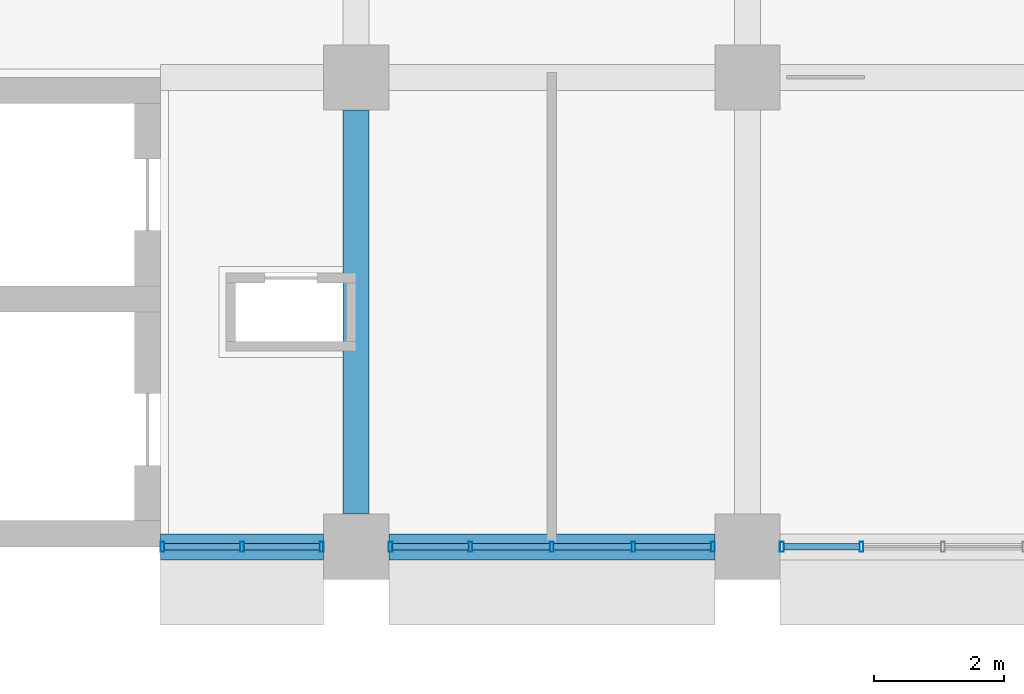
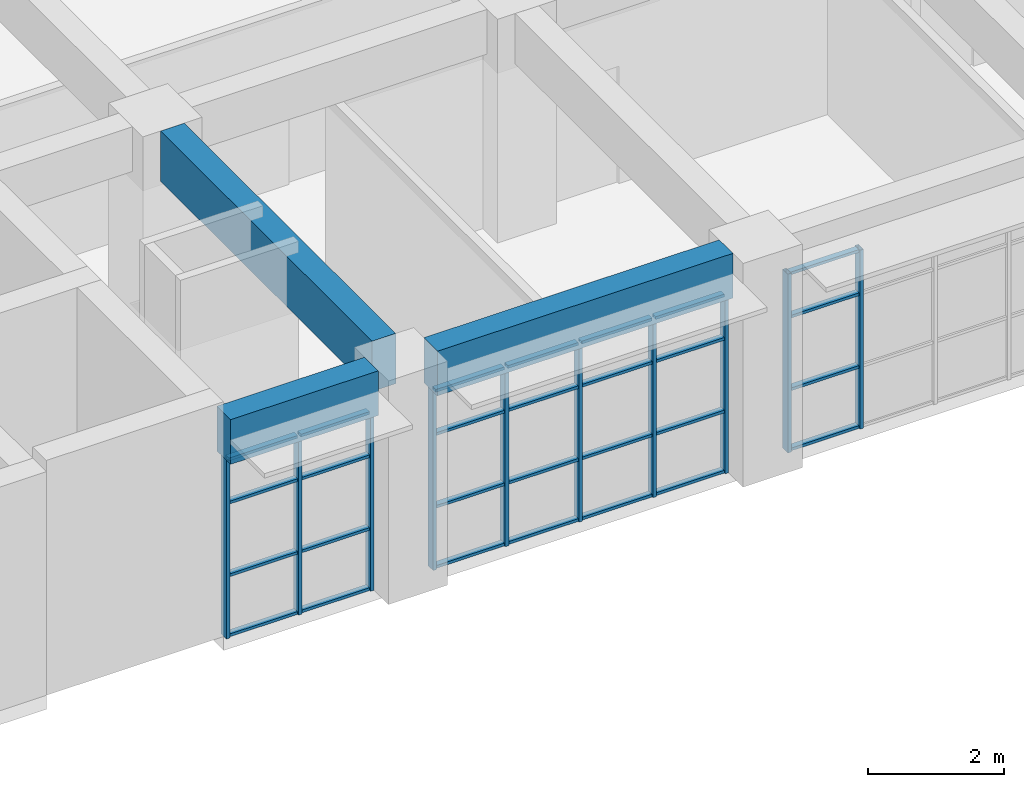
# One storey, part 39 of 101: 38 members, 3 beams, 3 elements without a shape of their own.
"""IFC4 building model written with IfcOpenShell, lengths in metres."""

from ifc_helpers import new_model, si_unit, direction, frame, origin, origin_2d, place, context, subcontext, project, spatial, rectangle, hollow_rectangle, extrude, material, material_profile, profile_set, type_object, element, aggregate, save


model = new_model("IFC4")

# Units and contexts
model_context = context("Model", 3, precision=1e-05, world=origin(), true_north=direction((0.0, 1.0)))
body_context = subcontext(model_context, "Body", "Model", "MODEL_VIEW")
ifc_project = project(units=[si_unit("LENGTHUNIT", "METRE"), si_unit("AREAUNIT", "SQUARE_METRE"), si_unit("VOLUMEUNIT", "CUBIC_METRE"), si_unit("PLANEANGLEUNIT", "RADIAN"), si_unit("MASSUNIT", "GRAM", prefix="KILO")], contexts=[model_context])

# Site, building, storey
site_placement = place(None, origin())
site = spatial("IfcSite", under=ifc_project, at=site_placement, CompositionType="ELEMENT")
building_placement = place(site_placement, origin())
building = spatial("IfcBuilding", under=site, at=building_placement, Name="Laocheng Heights Fire and Rescue Headquarters", CompositionType="ELEMENT")
storey_placement = place(building_placement, frame((0.0, 0.0, 8.39990234375)))
storey = spatial("IfcBuildingStorey", under=building, at=storey_placement, Name="L02", CompositionType="ELEMENT", Elevation=8.39990234375)

# Curtain wall, members
ifc_material_1 = material(Name="Dark anodised aluminium unitised curtain wall, low-e double glazing", Category="aluminium")
curtain_wall_type_1 = type_object("IfcCurtainWallType", Name="CW 2500 x 3200 HQ SOUTH RIBBON", PredefinedType="NOTDEFINED", material=ifc_material_1)
curtain_wall_1_placement = place(storey_placement, origin())
curtain_wall_1 = element("IfcCurtainWall", 1, at=curtain_wall_1_placement, inside=storey, type_object=curtain_wall_type_1, Name="X9-X HQ SOUTH L02", PredefinedType="NOTDEFINED")
ifc_material_2 = material(Name="Dark anodised aluminium 6063-T5 extrusion", Category="aluminium")
ifc_material_profile_1 = material_profile(ifc_material_2, hollow_rectangle(XDim=0.14990234375, YDim=0.06005859375, WallThickness=0.0029296875, at=origin_2d()), Name="AL MULLION 150x60x3 HQ SOUTH RIBBON")
ifc_profile_set_1 = profile_set([ifc_material_profile_1], Name="Dark anodised aluminium 6063-T5 extrusion")
member_type_1 = type_object("IfcMemberType", Name="AL MULLION 150x60x3 HQ SOUTH RIBBON", PredefinedType="MULLION", material=ifc_profile_set_1)
member_1_placement = place(storey_placement, frame((51.030029296875, 50.39990234375, 0.0), z_axis=(0.0, 0.0, 1.0), x_axis=(0.0, 1.0, 0.0)))
member_1 = element("IfcMember", 2, at=member_1_placement, type_object=member_type_1, Name="X9-X mullion 1", PredefinedType="MULLION", context=body_context, shape_type="SweptSolid", body=[
    extrude(hollow_rectangle(XDim=0.14990234375, YDim=0.06005859375, WallThickness=0.0029296875, at=origin_2d()), origin(), (0.0, 0.0, 1.0), 3.2001953125),
])
member_2_placement = place(storey_placement, frame((52.25, 50.39990234375, 0.0), z_axis=(0.0, 0.0, 1.0), x_axis=(0.0, 1.0, 0.0)))
member_2 = element("IfcMember", 3, at=member_2_placement, type_object=member_type_1, Name="X9-X mullion 2", PredefinedType="MULLION", context=body_context, shape_type="SweptSolid", body=[
    extrude(hollow_rectangle(XDim=0.14990234375, YDim=0.06005859375, WallThickness=0.0029296875, at=origin_2d()), origin(), (0.0, 0.0, 1.0), 3.2001953125),
])
member_3_placement = place(storey_placement, frame((53.469970703125, 50.39990234375, 0.0), z_axis=(0.0, 0.0, 1.0), x_axis=(0.0, 1.0, 0.0)))
member_3 = element("IfcMember", 4, at=member_3_placement, type_object=member_type_1, Name="X9-X mullion 3", PredefinedType="MULLION", context=body_context, shape_type="SweptSolid", body=[
    extrude(hollow_rectangle(XDim=0.14990234375, YDim=0.06005859375, WallThickness=0.0029296875, at=origin_2d()), origin(), (0.0, 0.0, 1.0), 3.2001953125),
])

ifc_material_3 = material(Name="Dark anodised aluminium unitised curtain wall, low-e double glazing", Category="aluminium")
curtain_wall_type_2 = type_object("IfcCurtainWallType", Name="CW 5000 x 3200 HQ SOUTH RIBBON", PredefinedType="NOTDEFINED", material=ifc_material_3)
curtain_wall_2_placement = place(storey_placement, origin())
curtain_wall_2 = element("IfcCurtainWall", 5, at=curtain_wall_2_placement, inside=storey, type_object=curtain_wall_type_2, Name="X10-X HQ SOUTH L02", PredefinedType="NOTDEFINED")
member_4_placement = place(storey_placement, frame((54.530029296875, 50.39990234375, 0.0), z_axis=(0.0, 0.0, 1.0), x_axis=(0.0, 1.0, 0.0)))
member_4 = element("IfcMember", 6, at=member_4_placement, type_object=member_type_1, Name="X10-X mullion 1", PredefinedType="MULLION", context=body_context, shape_type="SweptSolid", body=[
    extrude(hollow_rectangle(XDim=0.14990234375, YDim=0.06005859375, WallThickness=0.0029296875, at=origin_2d()), origin(), (0.0, 0.0, 1.0), 3.2001953125),
])
member_5_placement = place(storey_placement, frame((55.75, 50.39990234375, 0.0), z_axis=(0.0, 0.0, 1.0), x_axis=(0.0, 1.0, 0.0)))
member_5 = element("IfcMember", 7, at=member_5_placement, type_object=member_type_1, Name="X10-X mullion 2", PredefinedType="MULLION", context=body_context, shape_type="SweptSolid", body=[
    extrude(hollow_rectangle(XDim=0.14990234375, YDim=0.06005859375, WallThickness=0.0029296875, at=origin_2d()), origin(), (0.0, 0.0, 1.0), 3.2001953125),
])
member_6_placement = place(storey_placement, frame((57.0, 50.39990234375, 0.0), z_axis=(0.0, 0.0, 1.0), x_axis=(0.0, 1.0, 0.0)))
member_6 = element("IfcMember", 8, at=member_6_placement, type_object=member_type_1, Name="X10-X mullion 3", PredefinedType="MULLION", context=body_context, shape_type="SweptSolid", body=[
    extrude(hollow_rectangle(XDim=0.14990234375, YDim=0.06005859375, WallThickness=0.0029296875, at=origin_2d()), origin(), (0.0, 0.0, 1.0), 3.2001953125),
])
member_7_placement = place(storey_placement, frame((58.25, 50.39990234375, 0.0), z_axis=(0.0, 0.0, 1.0), x_axis=(0.0, 1.0, 0.0)))
member_7 = element("IfcMember", 9, at=member_7_placement, type_object=member_type_1, Name="X10-X mullion 4", PredefinedType="MULLION", context=body_context, shape_type="SweptSolid", body=[
    extrude(hollow_rectangle(XDim=0.14990234375, YDim=0.06005859375, WallThickness=0.0029296875, at=origin_2d()), origin(), (0.0, 0.0, 1.0), 3.2001953125),
])
member_8_placement = place(storey_placement, frame((59.469970703125, 50.39990234375, 0.0), z_axis=(0.0, 0.0, 1.0), x_axis=(0.0, 1.0, 0.0)))
member_8 = element("IfcMember", 10, at=member_8_placement, type_object=member_type_1, Name="X10-X mullion 5", PredefinedType="MULLION", context=body_context, shape_type="SweptSolid", body=[
    extrude(hollow_rectangle(XDim=0.14990234375, YDim=0.06005859375, WallThickness=0.0029296875, at=origin_2d()), origin(), (0.0, 0.0, 1.0), 3.2001953125),
])

curtain_wall_3_placement = place(storey_placement, origin())
curtain_wall_3 = element("IfcCurtainWall", 11, at=curtain_wall_3_placement, inside=storey, type_object=curtain_wall_type_2, Name="X10-X HQ SOUTH L02", PredefinedType="NOTDEFINED")
member_9_placement = place(storey_placement, frame((60.530029296875, 50.39990234375, 0.0), z_axis=(0.0, 0.0, 1.0), x_axis=(0.0, 1.0, 0.0)))
member_9 = element("IfcMember", 12, at=member_9_placement, type_object=member_type_1, Name="X10-X mullion 1", PredefinedType="MULLION", context=body_context, shape_type="SweptSolid", body=[
    extrude(hollow_rectangle(XDim=0.14990234375, YDim=0.06005859375, WallThickness=0.0029296875, at=origin_2d()), origin(), (0.0, 0.0, 1.0), 3.2001953125),
])
member_10_placement = place(storey_placement, frame((61.75, 50.39990234375, 0.0), z_axis=(0.0, 0.0, 1.0), x_axis=(0.0, 1.0, 0.0)))
member_10 = element("IfcMember", 13, at=member_10_placement, type_object=member_type_1, Name="X10-X mullion 2", PredefinedType="MULLION", context=body_context, shape_type="SweptSolid", body=[
    extrude(hollow_rectangle(XDim=0.14990234375, YDim=0.06005859375, WallThickness=0.0029296875, at=origin_2d()), origin(), (0.0, 0.0, 1.0), 3.2001953125),
])

# Member
ifc_material_4 = material(Name="Dark anodised aluminium 6063-T5 extrusion", Category="aluminium")
ifc_material_profile_2 = material_profile(ifc_material_4, hollow_rectangle(XDim=0.10009765625, YDim=0.050048828125, WallThickness=0.0029296875, at=origin_2d()), Name="AL TRANSOM 100x50x3 HQ SOUTH RIBBON")
ifc_profile_set_2 = profile_set([ifc_material_profile_2], Name="Dark anodised aluminium 6063-T5 extrusion")
member_type_2 = type_object("IfcMemberType", Name="AL TRANSOM 100x50x3 HQ SOUTH RIBBON", PredefinedType="USERDEFINED", material=ifc_profile_set_2)
member_11_placement = place(storey_placement, frame((51.06005859375, 50.39990234375, 0.025146484375), z_axis=(1.0, 0.0, 0.0), x_axis=(0.0, 1.0, 0.0)))
member_11 = element("IfcMember", 14, at=member_11_placement, type_object=member_type_2, Name="X9-X transom 1.1", ObjectType="TRANSOM", PredefinedType="USERDEFINED", context=body_context, shape_type="SweptSolid", body=[
    extrude(hollow_rectangle(XDim=0.10009765625, YDim=0.050048828125, WallThickness=0.0029296875, at=origin_2d()), origin(), (0.0, 0.0, 1.0), 1.159912109375),
])

member_12_placement = place(storey_placement, frame((51.06005859375, 50.39990234375, 1.10009765625), z_axis=(1.0, 0.0, 0.0), x_axis=(0.0, 1.0, 0.0)))
member_12 = element("IfcMember", 15, at=member_12_placement, type_object=member_type_2, Name="X9-X transom 1.2", ObjectType="TRANSOM", PredefinedType="USERDEFINED", context=body_context, shape_type="SweptSolid", body=[
    extrude(hollow_rectangle(XDim=0.10009765625, YDim=0.050048828125, WallThickness=0.0029296875, at=origin_2d()), origin(), (0.0, 0.0, 1.0), 1.159912109375),
])

member_13_placement = place(storey_placement, frame((51.06005859375, 50.39990234375, 2.400146484375), z_axis=(1.0, 0.0, 0.0), x_axis=(0.0, 1.0, 0.0)))
member_13 = element("IfcMember", 16, at=member_13_placement, type_object=member_type_2, Name="X9-X transom 1.3", ObjectType="TRANSOM", PredefinedType="USERDEFINED", context=body_context, shape_type="SweptSolid", body=[
    extrude(hollow_rectangle(XDim=0.10009765625, YDim=0.050048828125, WallThickness=0.0029296875, at=origin_2d()), origin(), (0.0, 0.0, 1.0), 1.159912109375),
])

member_14_placement = place(storey_placement, frame((51.06005859375, 50.39990234375, 3.175048828125), z_axis=(1.0, 0.0, 0.0), x_axis=(0.0, 1.0, 0.0)))
member_14 = element("IfcMember", 17, at=member_14_placement, type_object=member_type_2, Name="X9-X transom 1.4", ObjectType="TRANSOM", PredefinedType="USERDEFINED", context=body_context, shape_type="SweptSolid", body=[
    extrude(hollow_rectangle(XDim=0.10009765625, YDim=0.050048828125, WallThickness=0.0029296875, at=origin_2d()), origin(), (0.0, 0.0, 1.0), 1.159912109375),
])

member_15_placement = place(storey_placement, frame((52.280029296875, 50.39990234375, 0.025146484375), z_axis=(1.0, 0.0, 0.0), x_axis=(0.0, 1.0, 0.0)))
member_15 = element("IfcMember", 18, at=member_15_placement, type_object=member_type_2, Name="X9-X transom 2.1", ObjectType="TRANSOM", PredefinedType="USERDEFINED", context=body_context, shape_type="SweptSolid", body=[
    extrude(hollow_rectangle(XDim=0.10009765625, YDim=0.050048828125, WallThickness=0.0029296875, at=origin_2d()), origin(), (0.0, 0.0, 1.0), 1.159912109375),
])

member_16_placement = place(storey_placement, frame((52.280029296875, 50.39990234375, 1.10009765625), z_axis=(1.0, 0.0, 0.0), x_axis=(0.0, 1.0, 0.0)))
member_16 = element("IfcMember", 19, at=member_16_placement, type_object=member_type_2, Name="X9-X transom 2.2", ObjectType="TRANSOM", PredefinedType="USERDEFINED", context=body_context, shape_type="SweptSolid", body=[
    extrude(hollow_rectangle(XDim=0.10009765625, YDim=0.050048828125, WallThickness=0.0029296875, at=origin_2d()), origin(), (0.0, 0.0, 1.0), 1.159912109375),
])

member_17_placement = place(storey_placement, frame((52.280029296875, 50.39990234375, 2.400146484375), z_axis=(1.0, 0.0, 0.0), x_axis=(0.0, 1.0, 0.0)))
member_17 = element("IfcMember", 20, at=member_17_placement, type_object=member_type_2, Name="X9-X transom 2.3", ObjectType="TRANSOM", PredefinedType="USERDEFINED", context=body_context, shape_type="SweptSolid", body=[
    extrude(hollow_rectangle(XDim=0.10009765625, YDim=0.050048828125, WallThickness=0.0029296875, at=origin_2d()), origin(), (0.0, 0.0, 1.0), 1.159912109375),
])

member_18_placement = place(storey_placement, frame((52.280029296875, 50.39990234375, 3.175048828125), z_axis=(1.0, 0.0, 0.0), x_axis=(0.0, 1.0, 0.0)))
member_18 = element("IfcMember", 21, at=member_18_placement, type_object=member_type_2, Name="X9-X transom 2.4", ObjectType="TRANSOM", PredefinedType="USERDEFINED", context=body_context, shape_type="SweptSolid", body=[
    extrude(hollow_rectangle(XDim=0.10009765625, YDim=0.050048828125, WallThickness=0.0029296875, at=origin_2d()), origin(), (0.0, 0.0, 1.0), 1.159912109375),
])

aggregate(curtain_wall_1, [member_1, member_2, member_3, member_11, member_12, member_13, member_14, member_15, member_16, member_17, member_18])

member_19_placement = place(storey_placement, frame((54.56005859375, 50.39990234375, 0.025146484375), z_axis=(1.0, 0.0, 0.0), x_axis=(0.0, 1.0, 0.0)))
member_19 = element("IfcMember", 22, at=member_19_placement, type_object=member_type_2, Name="X10-X transom 1.1", ObjectType="TRANSOM", PredefinedType="USERDEFINED", context=body_context, shape_type="SweptSolid", body=[
    extrude(hollow_rectangle(XDim=0.10009765625, YDim=0.050048828125, WallThickness=0.0029296875, at=origin_2d()), origin(), (0.0, 0.0, 1.0), 1.159912109375),
])

member_20_placement = place(storey_placement, frame((54.56005859375, 50.39990234375, 1.10009765625), z_axis=(1.0, 0.0, 0.0), x_axis=(0.0, 1.0, 0.0)))
member_20 = element("IfcMember", 23, at=member_20_placement, type_object=member_type_2, Name="X10-X transom 1.2", ObjectType="TRANSOM", PredefinedType="USERDEFINED", context=body_context, shape_type="SweptSolid", body=[
    extrude(hollow_rectangle(XDim=0.10009765625, YDim=0.050048828125, WallThickness=0.0029296875, at=origin_2d()), origin(), (0.0, 0.0, 1.0), 1.159912109375),
])

member_21_placement = place(storey_placement, frame((54.56005859375, 50.39990234375, 2.400146484375), z_axis=(1.0, 0.0, 0.0), x_axis=(0.0, 1.0, 0.0)))
member_21 = element("IfcMember", 24, at=member_21_placement, type_object=member_type_2, Name="X10-X transom 1.3", ObjectType="TRANSOM", PredefinedType="USERDEFINED", context=body_context, shape_type="SweptSolid", body=[
    extrude(hollow_rectangle(XDim=0.10009765625, YDim=0.050048828125, WallThickness=0.0029296875, at=origin_2d()), origin(), (0.0, 0.0, 1.0), 1.159912109375),
])

member_22_placement = place(storey_placement, frame((54.56005859375, 50.39990234375, 3.175048828125), z_axis=(1.0, 0.0, 0.0), x_axis=(0.0, 1.0, 0.0)))
member_22 = element("IfcMember", 25, at=member_22_placement, type_object=member_type_2, Name="X10-X transom 1.4", ObjectType="TRANSOM", PredefinedType="USERDEFINED", context=body_context, shape_type="SweptSolid", body=[
    extrude(hollow_rectangle(XDim=0.10009765625, YDim=0.050048828125, WallThickness=0.0029296875, at=origin_2d()), origin(), (0.0, 0.0, 1.0), 1.159912109375),
])

member_23_placement = place(storey_placement, frame((55.780029296875, 50.39990234375, 0.025146484375), z_axis=(1.0, 0.0, 0.0), x_axis=(0.0, 1.0, 0.0)))
member_23 = element("IfcMember", 26, at=member_23_placement, type_object=member_type_2, Name="X10-X transom 2.1", ObjectType="TRANSOM", PredefinedType="USERDEFINED", context=body_context, shape_type="SweptSolid", body=[
    extrude(hollow_rectangle(XDim=0.10009765625, YDim=0.050048828125, WallThickness=0.0029296875, at=origin_2d()), origin(), (0.0, 0.0, 1.0), 1.18994140625),
])

member_24_placement = place(storey_placement, frame((55.780029296875, 50.39990234375, 1.10009765625), z_axis=(1.0, 0.0, 0.0), x_axis=(0.0, 1.0, 0.0)))
member_24 = element("IfcMember", 27, at=member_24_placement, type_object=member_type_2, Name="X10-X transom 2.2", ObjectType="TRANSOM", PredefinedType="USERDEFINED", context=body_context, shape_type="SweptSolid", body=[
    extrude(hollow_rectangle(XDim=0.10009765625, YDim=0.050048828125, WallThickness=0.0029296875, at=origin_2d()), origin(), (0.0, 0.0, 1.0), 1.18994140625),
])

member_25_placement = place(storey_placement, frame((55.780029296875, 50.39990234375, 2.400146484375), z_axis=(1.0, 0.0, 0.0), x_axis=(0.0, 1.0, 0.0)))
member_25 = element("IfcMember", 28, at=member_25_placement, type_object=member_type_2, Name="X10-X transom 2.3", ObjectType="TRANSOM", PredefinedType="USERDEFINED", context=body_context, shape_type="SweptSolid", body=[
    extrude(hollow_rectangle(XDim=0.10009765625, YDim=0.050048828125, WallThickness=0.0029296875, at=origin_2d()), origin(), (0.0, 0.0, 1.0), 1.18994140625),
])

member_26_placement = place(storey_placement, frame((55.780029296875, 50.39990234375, 3.175048828125), z_axis=(1.0, 0.0, 0.0), x_axis=(0.0, 1.0, 0.0)))
member_26 = element("IfcMember", 29, at=member_26_placement, type_object=member_type_2, Name="X10-X transom 2.4", ObjectType="TRANSOM", PredefinedType="USERDEFINED", context=body_context, shape_type="SweptSolid", body=[
    extrude(hollow_rectangle(XDim=0.10009765625, YDim=0.050048828125, WallThickness=0.0029296875, at=origin_2d()), origin(), (0.0, 0.0, 1.0), 1.18994140625),
])

member_27_placement = place(storey_placement, frame((57.030029296875, 50.39990234375, 0.025146484375), z_axis=(1.0, 0.0, 0.0), x_axis=(0.0, 1.0, 0.0)))
member_27 = element("IfcMember", 30, at=member_27_placement, type_object=member_type_2, Name="X10-X transom 3.1", ObjectType="TRANSOM", PredefinedType="USERDEFINED", context=body_context, shape_type="SweptSolid", body=[
    extrude(hollow_rectangle(XDim=0.10009765625, YDim=0.050048828125, WallThickness=0.0029296875, at=origin_2d()), origin(), (0.0, 0.0, 1.0), 1.18994140625),
])

member_28_placement = place(storey_placement, frame((57.030029296875, 50.39990234375, 1.10009765625), z_axis=(1.0, 0.0, 0.0), x_axis=(0.0, 1.0, 0.0)))
member_28 = element("IfcMember", 31, at=member_28_placement, type_object=member_type_2, Name="X10-X transom 3.2", ObjectType="TRANSOM", PredefinedType="USERDEFINED", context=body_context, shape_type="SweptSolid", body=[
    extrude(hollow_rectangle(XDim=0.10009765625, YDim=0.050048828125, WallThickness=0.0029296875, at=origin_2d()), origin(), (0.0, 0.0, 1.0), 1.18994140625),
])

member_29_placement = place(storey_placement, frame((57.030029296875, 50.39990234375, 2.400146484375), z_axis=(1.0, 0.0, 0.0), x_axis=(0.0, 1.0, 0.0)))
member_29 = element("IfcMember", 32, at=member_29_placement, type_object=member_type_2, Name="X10-X transom 3.3", ObjectType="TRANSOM", PredefinedType="USERDEFINED", context=body_context, shape_type="SweptSolid", body=[
    extrude(hollow_rectangle(XDim=0.10009765625, YDim=0.050048828125, WallThickness=0.0029296875, at=origin_2d()), origin(), (0.0, 0.0, 1.0), 1.18994140625),
])

member_30_placement = place(storey_placement, frame((57.030029296875, 50.39990234375, 3.175048828125), z_axis=(1.0, 0.0, 0.0), x_axis=(0.0, 1.0, 0.0)))
member_30 = element("IfcMember", 33, at=member_30_placement, type_object=member_type_2, Name="X10-X transom 3.4", ObjectType="TRANSOM", PredefinedType="USERDEFINED", context=body_context, shape_type="SweptSolid", body=[
    extrude(hollow_rectangle(XDim=0.10009765625, YDim=0.050048828125, WallThickness=0.0029296875, at=origin_2d()), origin(), (0.0, 0.0, 1.0), 1.18994140625),
])

member_31_placement = place(storey_placement, frame((58.280029296875, 50.39990234375, 0.025146484375), z_axis=(1.0, 0.0, 0.0), x_axis=(0.0, 1.0, 0.0)))
member_31 = element("IfcMember", 34, at=member_31_placement, type_object=member_type_2, Name="X10-X transom 4.1", ObjectType="TRANSOM", PredefinedType="USERDEFINED", context=body_context, shape_type="SweptSolid", body=[
    extrude(hollow_rectangle(XDim=0.10009765625, YDim=0.050048828125, WallThickness=0.0029296875, at=origin_2d()), origin(), (0.0, 0.0, 1.0), 1.159912109375),
])

member_32_placement = place(storey_placement, frame((58.280029296875, 50.39990234375, 1.10009765625), z_axis=(1.0, 0.0, 0.0), x_axis=(0.0, 1.0, 0.0)))
member_32 = element("IfcMember", 35, at=member_32_placement, type_object=member_type_2, Name="X10-X transom 4.2", ObjectType="TRANSOM", PredefinedType="USERDEFINED", context=body_context, shape_type="SweptSolid", body=[
    extrude(hollow_rectangle(XDim=0.10009765625, YDim=0.050048828125, WallThickness=0.0029296875, at=origin_2d()), origin(), (0.0, 0.0, 1.0), 1.159912109375),
])

member_33_placement = place(storey_placement, frame((58.280029296875, 50.39990234375, 2.400146484375), z_axis=(1.0, 0.0, 0.0), x_axis=(0.0, 1.0, 0.0)))
member_33 = element("IfcMember", 36, at=member_33_placement, type_object=member_type_2, Name="X10-X transom 4.3", ObjectType="TRANSOM", PredefinedType="USERDEFINED", context=body_context, shape_type="SweptSolid", body=[
    extrude(hollow_rectangle(XDim=0.10009765625, YDim=0.050048828125, WallThickness=0.0029296875, at=origin_2d()), origin(), (0.0, 0.0, 1.0), 1.159912109375),
])

member_34_placement = place(storey_placement, frame((58.280029296875, 50.39990234375, 3.175048828125), z_axis=(1.0, 0.0, 0.0), x_axis=(0.0, 1.0, 0.0)))
member_34 = element("IfcMember", 37, at=member_34_placement, type_object=member_type_2, Name="X10-X transom 4.4", ObjectType="TRANSOM", PredefinedType="USERDEFINED", context=body_context, shape_type="SweptSolid", body=[
    extrude(hollow_rectangle(XDim=0.10009765625, YDim=0.050048828125, WallThickness=0.0029296875, at=origin_2d()), origin(), (0.0, 0.0, 1.0), 1.159912109375),
])

aggregate(curtain_wall_2, [member_4, member_5, member_6, member_7, member_8, member_19, member_20, member_21, member_22, member_23, member_24, member_25, member_26, member_27, member_28, member_29, member_30, member_31, member_32, member_33, member_34])

member_35_placement = place(storey_placement, frame((60.56005859375, 50.39990234375, 0.025146484375), z_axis=(1.0, 0.0, 0.0), x_axis=(0.0, 1.0, 0.0)))
member_35 = element("IfcMember", 38, at=member_35_placement, type_object=member_type_2, Name="X10-X transom 1.1", ObjectType="TRANSOM", PredefinedType="USERDEFINED", context=body_context, shape_type="SweptSolid", body=[
    extrude(hollow_rectangle(XDim=0.10009765625, YDim=0.050048828125, WallThickness=0.0029296875, at=origin_2d()), origin(), (0.0, 0.0, 1.0), 1.159912109375),
])

member_36_placement = place(storey_placement, frame((60.56005859375, 50.39990234375, 1.10009765625), z_axis=(1.0, 0.0, 0.0), x_axis=(0.0, 1.0, 0.0)))
member_36 = element("IfcMember", 39, at=member_36_placement, type_object=member_type_2, Name="X10-X transom 1.2", ObjectType="TRANSOM", PredefinedType="USERDEFINED", context=body_context, shape_type="SweptSolid", body=[
    extrude(hollow_rectangle(XDim=0.10009765625, YDim=0.050048828125, WallThickness=0.0029296875, at=origin_2d()), origin(), (0.0, 0.0, 1.0), 1.159912109375),
])

member_37_placement = place(storey_placement, frame((60.56005859375, 50.39990234375, 2.400146484375), z_axis=(1.0, 0.0, 0.0), x_axis=(0.0, 1.0, 0.0)))
member_37 = element("IfcMember", 40, at=member_37_placement, type_object=member_type_2, Name="X10-X transom 1.3", ObjectType="TRANSOM", PredefinedType="USERDEFINED", context=body_context, shape_type="SweptSolid", body=[
    extrude(hollow_rectangle(XDim=0.10009765625, YDim=0.050048828125, WallThickness=0.0029296875, at=origin_2d()), origin(), (0.0, 0.0, 1.0), 1.159912109375),
])

member_38_placement = place(storey_placement, frame((60.56005859375, 50.39990234375, 3.175048828125), z_axis=(1.0, 0.0, 0.0), x_axis=(0.0, 1.0, 0.0)))
member_38 = element("IfcMember", 41, at=member_38_placement, type_object=member_type_2, Name="X10-X transom 1.4", ObjectType="TRANSOM", PredefinedType="USERDEFINED", context=body_context, shape_type="SweptSolid", body=[
    extrude(hollow_rectangle(XDim=0.10009765625, YDim=0.050048828125, WallThickness=0.0029296875, at=origin_2d()), origin(), (0.0, 0.0, 1.0), 1.159912109375),
])

aggregate(curtain_wall_3, [member_9, member_10, member_35, member_36, member_37, member_38])

# Beams
ifc_material_5 = material(Name="Concrete C40", Category="concrete")
ifc_material_profile_3 = material_profile(ifc_material_5, rectangle(XDim=0.39990234375, YDim=0.800048828125, at=origin_2d()), Name="RC BEAM 400x800 HQ")
ifc_profile_set_3 = profile_set([ifc_material_profile_3], Name="Concrete C40")
beam_type_1 = type_object("IfcBeamType", Name="RC BEAM 400x800 HQ", PredefinedType="BEAM", material=ifc_profile_set_3)
beam_1_placement = place(storey_placement, frame((51.0, 50.39990234375, 3.60009765625), z_axis=(1.0, 0.0, 0.0), x_axis=(0.0, 1.0, 0.0)))
element("IfcBeam", 42, at=beam_1_placement, inside=storey, type_object=beam_type_1, Name="HQ beam L02", PredefinedType="BEAM", context=body_context, shape_type="SweptSolid", body=[
    extrude(rectangle(XDim=0.39990234375, YDim=0.800048828125, at=origin_2d()), origin(), (0.0, 0.0, 1.0), 2.5),
])
beam_2_placement = place(storey_placement, frame((54.5, 50.39990234375, 3.60009765625), z_axis=(1.0, 0.0, 0.0), x_axis=(0.0, 1.0, 0.0)))
element("IfcBeam", 43, at=beam_2_placement, inside=storey, type_object=beam_type_1, Name="HQ beam L02", PredefinedType="BEAM", context=body_context, shape_type="SweptSolid", body=[
    extrude(rectangle(XDim=0.39990234375, YDim=0.800048828125, at=origin_2d()), origin(), (0.0, 0.0, 1.0), 5.0),
])
ifc_material_6 = material(Name="Concrete C40", Category="concrete")
ifc_material_profile_4 = material_profile(ifc_material_6, rectangle(XDim=0.39990234375, YDim=0.89990234375, at=origin_2d()), Name="RC BEAM 400x900 HQ")
ifc_profile_set_4 = profile_set([ifc_material_profile_4], Name="Concrete C40")
beam_type_2 = type_object("IfcBeamType", Name="RC BEAM 400x900 HQ", PredefinedType="BEAM", material=ifc_profile_set_4)
beam_3_placement = place(storey_placement, frame((54.0, 50.89990234375, 3.550048828125), z_axis=(0.0, 1.0, 0.0), x_axis=(-1.0, 0.0, 0.0)))
element("IfcBeam", 44, at=beam_3_placement, inside=storey, type_object=beam_type_2, Name="HQ beam L02", PredefinedType="BEAM", context=body_context, shape_type="SweptSolid", body=[
    extrude(rectangle(XDim=0.39990234375, YDim=0.89990234375, at=origin_2d()), origin(), (0.0, 0.0, 1.0), 6.2001953125),
])

save(model, "model.ifc")
